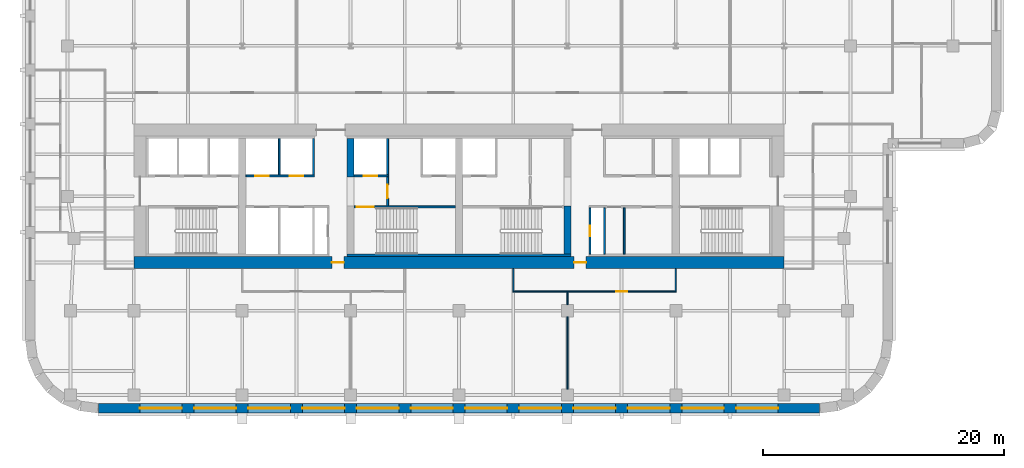
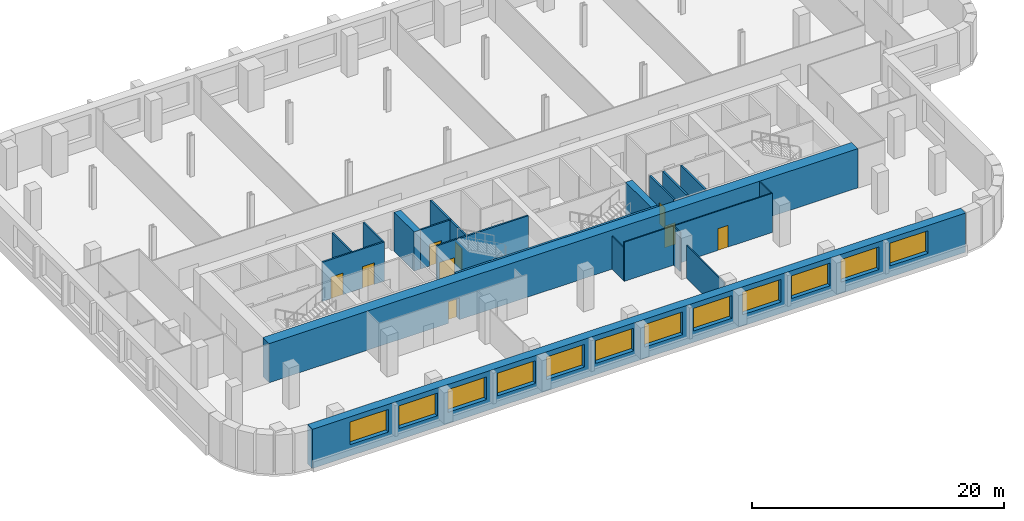
# One storey, part 4 of 9: 20 walls, 12 windows, 9 doors, 21 openings.
"""IFC4 building model written with IfcOpenShell, lengths in metres."""

import ifcopenshell
import ifcopenshell.guid

model = None  # the IFC model being written
_history = None  # IfcOwnerHistory: only IFC2X3 demands one
_inside = {}  # id of a spatial element -> (the spatial element, [elements in it])
_under = {}  # id of a project, library or spatial element -> (it, [spatial elements below it])
_declared = {}  # id of a project -> (the project, [libraries it declares])
_typed = {}  # id of a type object -> (the type object, [elements of that type])
_made_of = {}  # id of a material, layer set ... -> (it, [elements and type objects made of it])


def new_model(schema):
    """Start an empty IFC model of exactly this schema.

    Asked for "IFC4X3", IfcOpenShell would pick the latest addendum, in which some entities
    have other attributes; the version numbers below select the first issue.
    IFC2X3 requires an IfcOwnerHistory on every rooted entity: one is made here for all.
    """
    global model, _history
    if schema == "IFC4X3":
        model = ifcopenshell.file(schema_version=(4, 3, 0, 0))
    else:
        model = ifcopenshell.file(schema=schema)
    _inside.clear()
    _under.clear()
    _declared.clear()
    _typed.clear()
    _made_of.clear()
    _history = None
    if model.schema == "IFC2X3":
        org = make("IfcOrganization", Name="unknown")
        user = make(
            "IfcPersonAndOrganization",
            ThePerson=make("IfcPerson", FamilyName="unknown"),
            TheOrganization=org,
        )
        app = make(
            "IfcApplication",
            ApplicationDeveloper=org,
            Version="unknown",
            ApplicationFullName="unknown",
            ApplicationIdentifier="unknown",
        )
        _history = make(
            "IfcOwnerHistory",
            OwningUser=user,
            OwningApplication=app,
            ChangeAction="ADDED",
            CreationDate=0,
        )
    return model


def make(cls, **values):
    """One entity of the class cls with the attributes given. An attribute that is None is left unset."""
    return model.create_entity(
        cls, **{name: value for name, value in values.items() if value is not None}
    )


def rooted(cls, **values):
    """An entity with a GlobalId (a new one), such as an element, a storey or a relation."""
    return make(cls, GlobalId=ifcopenshell.guid.new(), OwnerHistory=_history, **values)


def si_unit(unit_type, name, prefix=None):
    """IfcSIUnit, for example si_unit("LENGTHUNIT", "METRE", prefix="MILLI")."""
    return make("IfcSIUnit", UnitType=unit_type, Prefix=prefix, Name=name)


def assignment(units):
    """IfcUnitAssignment: the units of a project."""
    return None if units is None else make("IfcUnitAssignment", Units=units)


def point(xyz):
    """IfcCartesianPoint."""
    return None if xyz is None else make("IfcCartesianPoint", Coordinates=xyz)


def direction(xyz):
    """IfcDirection."""
    return None if xyz is None else make("IfcDirection", DirectionRatios=xyz)


def frame(location, z_axis=None, x_axis=None):
    """IfcAxis2Placement3D, a coordinate frame: its origin and axes. An axis left out is left unset."""
    return make(
        "IfcAxis2Placement3D",
        Location=point(location),
        Axis=direction(z_axis),
        RefDirection=direction(x_axis),
    )


def frame_2d(location, x_axis=None):
    """IfcAxis2Placement2D, a coordinate frame in the plane: its origin and x axis."""
    return make(
        "IfcAxis2Placement2D", Location=point(location), RefDirection=direction(x_axis)
    )


def origin():
    """The frame at (0, 0, 0) with its axes left unset."""
    return frame((0.0, 0.0, 0.0))


def place(relative_to, where):
    """IfcLocalPlacement: puts the frame where relative to a parent placement (None: the world)."""
    return make(
        "IfcLocalPlacement", PlacementRelTo=relative_to, RelativePlacement=where
    )


def context(
    kind, dimensions, precision=None, world=None, true_north=None, identifier=None
):
    """IfcGeometricRepresentationContext, for example the 3D "Model" context."""
    return make(
        "IfcGeometricRepresentationContext",
        ContextIdentifier=identifier,
        ContextType=kind,
        CoordinateSpaceDimension=dimensions,
        Precision=precision,
        WorldCoordinateSystem=world,
        TrueNorth=true_north,
    )


def subcontext(parent, identifier, kind, view, scale=None):
    """IfcGeometricRepresentationSubContext, for example "Body" below "Model"."""
    return make(
        "IfcGeometricRepresentationSubContext",
        ContextIdentifier=identifier,
        ContextType=kind,
        ParentContext=parent,
        TargetScale=scale,
        TargetView=view,
    )


def project(units=None, contexts=None):
    """IfcProject with its units and contexts."""
    return rooted(
        "IfcProject",
        Name="project",
        RepresentationContexts=contexts,
        UnitsInContext=assignment(units),
    )


def spatial(cls, under=None, at=None, **own):
    """A site, building, storey or space (cls), placed at a placement, below another one or the project."""
    s = rooted(cls, ObjectPlacement=at, **own)
    if under is not None:
        _under.setdefault(under.id(), (under, []))[1].append(s)
    return s


def profile(cls, at=None, kind="AREA", **sizes):
    """A parametric profile (cls). Its sizes go by their IFC names, for example OverallWidth=200.0."""
    return make(cls, ProfileType=kind, Position=at, **sizes)


def rectangle(**sizes):
    """IfcRectangleProfileDef."""
    return profile("IfcRectangleProfileDef", **sizes)


def extrude(swept, where, along, depth):
    """IfcExtrudedAreaSolid: the profile swept, set in the frame where, extruded along a direction by depth."""
    return make(
        "IfcExtrudedAreaSolid",
        SweptArea=swept,
        Position=where,
        ExtrudedDirection=direction(along),
        Depth=depth,
    )


def shape(context_of_items, identifier, shape_type, items):
    """IfcShapeRepresentation: the items that make up one representation, for example the "Body"."""
    return make(
        "IfcShapeRepresentation",
        ContextOfItems=context_of_items,
        RepresentationIdentifier=identifier,
        RepresentationType=shape_type,
        Items=items,
    )


def material(Name=None, Category=None):
    """IfcMaterial."""
    return make("IfcMaterial", Name=Name, Category=Category)


def layer(
    of_material, thickness, ventilated=None, Name=None, Category=None, Priority=None
):
    """IfcMaterialLayer: one layer of a wall or slab, of a material (None: an air gap)."""
    return make(
        "IfcMaterialLayer",
        Material=of_material,
        LayerThickness=thickness,
        IsVentilated=ventilated,
        Name=Name,
        Category=Category,
        Priority=Priority,
    )


def layer_set(layers, Name=None):
    """IfcMaterialLayerSet."""
    return make("IfcMaterialLayerSet", MaterialLayers=layers, LayerSetName=Name)


def made_of(thing, what):
    """Note that an element or type object is made of a material, layer set ...; save() writes the relation."""
    if what is not None:
        _made_of.setdefault(what.id(), (what, []))[1].append(thing)
    return thing


def type_object(cls, material=None, **own):
    """A type object (cls), such as IfcWallType, which elements share."""
    return made_of(rooted(cls, **own), material)


def element(
    cls,
    number,
    at=None,
    inside=None,
    cuts=None,
    type_object=None,
    material=None,
    context=None,
    identifier="Body",
    shape_type=None,
    held_by="IfcProductDefinitionShape",
    body=None,
    shapes=None,
    **own,
):
    """One element of the class cls, such as IfcWall. Its Tag is "e" and its number.

    at: its placement. inside: the storey or other place that contains it. cuts: it is an
    opening in that element (IfcRelVoidsElement). A single representation is given by context,
    identifier, shape_type and body (its items); several are given by shapes. held_by: the class
    of the entity that holds the representations. save() writes the other relations.
    """
    e = rooted(cls, Tag="e%d" % number, ObjectPlacement=at, **own)
    if body is not None:
        shapes = [shape(context, identifier, shape_type, body)]
    if shapes is not None:
        e.Representation = make(held_by, Representations=shapes)
    if inside is not None:
        _inside.setdefault(inside.id(), (inside, []))[1].append(e)
    if cuts is not None:
        rooted(
            "IfcRelVoidsElement", RelatingBuildingElement=cuts, RelatedOpeningElement=e
        )
    if type_object is not None:
        _typed.setdefault(type_object.id(), (type_object, []))[1].append(e)
    return made_of(e, material)


def fill(opening, filler):
    """IfcRelFillsElement: the door or window that sits in an opening."""
    return rooted(
        "IfcRelFillsElement",
        RelatingOpeningElement=opening,
        RelatedBuildingElement=filler,
    )


def aggregate(whole, parts):
    """IfcRelAggregates: a whole, such as a stair, and the parts it consists of."""
    return rooted("IfcRelAggregates", RelatingObject=whole, RelatedObjects=parts)


def save(model, path):
    """Write the relations noted so far, then the file.

    IfcRelAggregates (storeys below a building ...), IfcRelContainedInSpatialStructure (elements
    in a storey), IfcRelDefinesByType, IfcRelAssociatesMaterial and IfcRelDeclares: one each for
    every whole, place, type object, material and project.
    """
    for whole, parts in _under.values():
        aggregate(whole, parts)
    for where, things in _inside.values():
        rooted(
            "IfcRelContainedInSpatialStructure",
            RelatedElements=things,
            RelatingStructure=where,
        )
    for kind, things in _typed.values():
        rooted("IfcRelDefinesByType", RelatedObjects=things, RelatingType=kind)
    for what, things in _made_of.values():
        rooted("IfcRelAssociatesMaterial", RelatedObjects=things, RelatingMaterial=what)
    for by, libraries in _declared.values():
        rooted("IfcRelDeclares", RelatingContext=by, RelatedDefinitions=libraries)
    model.write(path)


model = new_model("IFC4")

# Units and contexts
model_context = context("Model", 3, precision=1e-05, world=origin(), true_north=direction((0.0, 1.0)))
body_context = subcontext(model_context, "Body", "Model", "MODEL_VIEW")
ifc_project = project(units=[si_unit("LENGTHUNIT", "METRE"), si_unit("AREAUNIT", "SQUARE_METRE"), si_unit("VOLUMEUNIT", "CUBIC_METRE"), si_unit("PLANEANGLEUNIT", "RADIAN"), si_unit("MASSUNIT", "GRAM", prefix="KILO")], contexts=[model_context])

# Site, building, storey
site_placement = place(None, origin())
site = spatial("IfcSite", under=ifc_project, at=site_placement, CompositionType="ELEMENT")
building_placement = place(site_placement, origin())
building = spatial("IfcBuilding", under=site, at=building_placement, Name="Zellij Exchange Tower", CompositionType="ELEMENT")
storey_placement = place(building_placement, frame((0.0, 0.0, 136.5)))
storey = spatial("IfcBuildingStorey", under=building, at=storey_placement, Name="L30", CompositionType="ELEMENT", Elevation=136.5)

# Walls
ifc_material_1 = material(Name="Concrete C70/85", Category="concrete")
ifc_layer_1 = layer(ifc_material_1, 0.60009765625)
ifc_layer_set_1 = layer_set([ifc_layer_1], Name="Concrete C70/85")
wall_type_1 = type_object("IfcWallType", Name="CORE-CW 600 C70/85", PredefinedType="SHEAR", material=ifc_layer_set_1)
wall_1_placement = place(storey_placement, frame((-9.0, -6.375, 0.0), z_axis=(0.0, 0.0, 1.0), x_axis=(0.0, 1.0, 0.0)))
element("IfcWall", 1, at=wall_1_placement, inside=storey, type_object=wall_type_1, Name="Core cross wall pier x -9 b L30", PredefinedType="SHEAR", context=body_context, shape_type="SweptSolid", body=[
    extrude(rectangle(XDim=3.175048828125, YDim=0.60009765625, at=frame_2d((1.58740234375, 0.0))), origin(), (0.0, 0.0, 1.0), 3.800048828125),
])
wall_2_placement = place(storey_placement, frame((9.0, -12.800048828125, 0.0), z_axis=(0.0, 0.0, 1.0), x_axis=(0.0, 1.0, 0.0)))
element("IfcWall", 2, at=wall_2_placement, inside=storey, type_object=wall_type_1, Name="Core cross wall pier x 9 a L30", PredefinedType="SHEAR", context=body_context, shape_type="SweptSolid", body=[
    extrude(rectangle(XDim=4.0, YDim=0.60009765625, at=frame_2d((2.0, 0.0))), origin(), (0.0, 0.0, 1.0), 3.800048828125),
])
ifc_material_2 = material(Name="Concrete C30/37", Category="concrete")
ifc_layer_2 = layer(ifc_material_2, 0.199951171875)
ifc_layer_set_2 = layer_set([ifc_layer_2], Name="Concrete C30/37")
wall_type_2 = type_object("IfcWallType", Name="CORE-LW 200 C30/37", PredefinedType="SHEAR", material=ifc_layer_set_2)
wall_3_placement = place(storey_placement, frame((-9.300048828125, -12.89990234375, 0.0), z_axis=(0.0, 0.0, 1.0), x_axis=(1.0, 0.0, 0.0)))
element("IfcWall", 3, at=wall_3_placement, inside=storey, type_object=wall_type_2, Name="Core wall lining rear.1 L30", PredefinedType="SHEAR", context=body_context, shape_type="SweptSolid", body=[
    extrude(rectangle(XDim=18.60009765625, YDim=0.199951171875, at=frame_2d((9.300048828125, 0.0))), origin(), (0.0, 0.0, 1.0), 3.800048828125),
])

# Wall, opening, door
ifc_material_3 = material(Name="Gypsum shaft wall system")
ifc_layer_3 = layer(ifc_material_3, 0.14990234375)
ifc_layer_set_3 = layer_set([ifc_layer_3], Name="Gypsum shaft wall system")
wall_type_3 = type_object("IfcWallType", Name="CORE-PW 150 Firefighting lobby wall", PredefinedType="PARTITIONING", material=ifc_layer_set_3)
wall_4_placement = place(storey_placement, frame((-5.925048828125, -8.800048828125, 0.0), z_axis=(0.0, 0.0, 1.0), x_axis=(0.0, 1.0, 0.0)))
wall_4 = element("IfcWall", 4, at=wall_4_placement, inside=storey, type_object=wall_type_3, Name="Firefighting lobby wall L30", PredefinedType="PARTITIONING", context=body_context, shape_type="SweptSolid", body=[
    extrude(rectangle(XDim=2.425048828125, YDim=0.14990234375, at=frame_2d((1.21240234375, 0.0))), origin(), (0.0, 0.0, 1.0), 3.800048828125),
])
opening_1_placement = place(wall_4_placement, frame((0.662109375, 0.0, 0.0)))
opening_1 = element("IfcOpeningElement", 5, at=opening_1_placement, cuts=wall_4, Name="Opening CA-16.15", PredefinedType="OPENING", context=body_context, shape_type="SweptSolid", body=[
    extrude(rectangle(XDim=1.10009765625, YDim=2.10009765625, at=frame_2d((0.550048828125, 1.050048828125))), frame((0.0, 0.0869140625, 0.0), z_axis=(0.0, -1.0, 0.0), x_axis=(1.0, 0.0, 0.0)), (0.0, 0.0, 1.0), 0.173828125),
])
ifc_material_4 = material(Name="Hollow metal fire door")
door_type_1 = type_object("IfcDoorType", Name="CORE-D F Firefighting lobby door 1100x2100 1 HR", OperationType="NOTDEFINED", PredefinedType="DOOR", material=ifc_material_4)
door_1_placement = place(opening_1_placement, origin())
door_1 = element("IfcDoor", 6, at=door_1_placement, inside=storey, type_object=door_type_1, Name="Firefighting lobby door CA-16.15", OperationType="SINGLE_SWING_LEFT", OverallHeight=2.10009765625, OverallWidth=1.10009765625, PredefinedType="DOOR", context=body_context, shape_type="SweptSolid", body=[
    extrude(rectangle(XDim=1.10009765625, YDim=2.10009765625, at=frame_2d((0.550048828125, 1.050048828125))), frame((0.0, 0.02490234375, 0.0), z_axis=(0.0, -1.0, 0.0), x_axis=(1.0, 0.0, 0.0)), (0.0, 0.0, 1.0), 0.050048828125),
])
fill(opening_1, door_1)

ifc_material_5 = material(Name="Gypsum board partition")
ifc_layer_4 = layer(ifc_material_5, 0.14990234375)
ifc_layer_set_4 = layer_set([ifc_layer_4], Name="Gypsum board partition")
wall_type_4 = type_object("IfcWallType", Name="CORE-PW 150 Lift lobby wall", PredefinedType="PARTITIONING", material=ifc_layer_set_4)
wall_5_placement = place(storey_placement, frame((10.875, -12.800048828125, 0.0), z_axis=(0.0, 0.0, 1.0), x_axis=(0.0, 1.0, 0.0)))
wall_5 = element("IfcWall", 7, at=wall_5_placement, inside=storey, type_object=wall_type_4, Name="Lift lobby wall L30", PredefinedType="PARTITIONING", context=body_context, shape_type="SweptSolid", body=[
    extrude(rectangle(XDim=3.85009765625, YDim=0.14990234375, at=frame_2d((1.925048828125, 0.0))), origin(), (0.0, 0.0, 1.0), 3.800048828125),
])
opening_2_placement = place(wall_5_placement, frame((1.47509765625, 0.0, 0.0)))
opening_2 = element("IfcOpeningElement", 8, at=opening_2_placement, cuts=wall_5, Name="Opening CA-16.22", PredefinedType="OPENING", context=body_context, shape_type="SweptSolid", body=[
    extrude(rectangle(XDim=0.89990234375, YDim=2.10009765625, at=frame_2d((0.449951171875, 1.050048828125))), frame((0.0, 0.0869140625, 0.0), z_axis=(0.0, -1.0, 0.0), x_axis=(1.0, 0.0, 0.0)), (0.0, 0.0, 1.0), 0.173828125),
])
door_type_2 = type_object("IfcDoorType", Name="CORE-D RD Riser door 900x2100 1.5 HR", OperationType="NOTDEFINED", PredefinedType="DOOR", material=ifc_material_4)
door_2_placement = place(opening_2_placement, origin())
door_2 = element("IfcDoor", 9, at=door_2_placement, inside=storey, type_object=door_type_2, Name="Riser door CA-16.22", OperationType="SINGLE_SWING_LEFT", OverallHeight=2.10009765625, OverallWidth=0.89990234375, PredefinedType="DOOR", context=body_context, shape_type="SweptSolid", body=[
    extrude(rectangle(XDim=0.89990234375, YDim=2.10009765625, at=frame_2d((0.449951171875, 1.050048828125))), frame((0.0, 0.02490234375, 0.0), z_axis=(0.0, -1.0, 0.0), x_axis=(1.0, 0.0, 0.0)), (0.0, 0.0, 1.0), 0.050048828125),
])
fill(opening_2, door_2)

# Walls
for number, where, z_axis, x_axis, name in (
    (10, (12.074951171875, -12.800048828125, 0.0), (0.0, 0.0, 1.0), (0.0, 1.0, 0.0), "Lift lobby wall L30"),
    (11, (13.72509765625, -12.800048828125, 0.0), (0.0, 0.0, 1.0), (0.0, 1.0, 0.0), "Lift lobby wall L30"),
):
    element("IfcWall", number, at=place(storey_placement, frame(where, z_axis=z_axis, x_axis=x_axis)), inside=storey, type_object=wall_type_4, Name=name, PredefinedType="PARTITIONING", context=body_context, shape_type="SweptSolid", body=[
        extrude(rectangle(XDim=3.85009765625, YDim=0.14990234375, at=frame_2d((1.925048828125, 0.0))), origin(), (0.0, 0.0, 1.0), 3.800048828125),
    ])
ifc_layer_5 = layer(ifc_material_3, 0.14990234375)
ifc_layer_set_5 = layer_set([ifc_layer_5], Name="Gypsum shaft wall system")
wall_type_5 = type_object("IfcWallType", Name="CORE-PW 150 Lift shaft wall", PredefinedType="PARTITIONING", material=ifc_layer_set_5)
for number, where, z_axis, x_axis, name in (
    (12, (-12.074951171875, -6.22509765625, 0.0), (0.0, 0.0, 1.0), (0.0, 1.0, 0.0), "Lift shaft wall L30"),
    (13, (-14.925048828125, -6.22509765625, 0.0), (0.0, 0.0, 1.0), (0.0, 1.0, 0.0), "Lift shaft wall L30"),
    (14, (-5.925048828125, -6.22509765625, 0.0), (0.0, 0.0, 1.0), (0.0, 1.0, 0.0), "Lift shaft wall L30"),
):
    element("IfcWall", number, at=place(storey_placement, frame(where, z_axis=z_axis, x_axis=x_axis)), inside=storey, type_object=wall_type_5, Name=name, PredefinedType="PARTITIONING", context=body_context, shape_type="SweptSolid", body=[
        extrude(rectangle(XDim=3.025146484375, YDim=0.14990234375, at=frame_2d((1.5126953125, 0.0))), origin(), (0.0, 0.0, 1.0), 3.800048828125),
    ])

# Wall, openings, doors
wall_6_placement = place(storey_placement, frame((-17.699951171875, -6.300048828125, 0.0), z_axis=(0.0, 0.0, 1.0), x_axis=(1.0, 0.0, 0.0)))
wall_6 = element("IfcWall", 15, at=wall_6_placement, inside=storey, type_object=wall_type_5, Name="Lift shaft wall L30", PredefinedType="PARTITIONING", context=body_context, shape_type="SweptSolid", body=[
    extrude(rectangle(XDim=5.699951171875, YDim=0.14990234375, at=frame_2d((2.85009765625, 0.0))), origin(), (0.0, 0.0, 1.0), 3.800048828125),
])
opening_3_placement = place(wall_6_placement, frame((0.800048828125, 0.0, 0.0)))
opening_3 = element("IfcOpeningElement", 16, at=opening_3_placement, cuts=wall_6, Name="Opening CA-16.07", PredefinedType="OPENING", context=body_context, shape_type="SweptSolid", body=[
    extrude(rectangle(XDim=1.10009765625, YDim=2.10009765625, at=frame_2d((0.550048828125, 1.050048828125))), frame((0.0, 0.0869140625, 0.0), z_axis=(0.0, -1.0, 0.0), x_axis=(1.0, 0.0, 0.0)), (0.0, 0.0, 1.0), 0.173828125),
])
opening_4_placement = place(wall_6_placement, frame((3.64990234375, 0.0, 0.0)))
opening_4 = element("IfcOpeningElement", 17, at=opening_4_placement, cuts=wall_6, Name="Opening CA-16.09", PredefinedType="OPENING", context=body_context, shape_type="SweptSolid", body=[
    extrude(rectangle(XDim=1.10009765625, YDim=2.10009765625, at=frame_2d((0.550048828125, 1.050048828125))), frame((0.0, 0.0869140625, 0.0), z_axis=(0.0, -1.0, 0.0), x_axis=(1.0, 0.0, 0.0)), (0.0, 0.0, 1.0), 0.173828125),
])
door_type_3 = type_object("IfcDoorType", Name="CORE-D LD Lift landing door 1100x2100 1.5 HR", OperationType="NOTDEFINED", PredefinedType="DOOR", material=ifc_material_4)
door_3_placement = place(opening_3_placement, origin())
door_3 = element("IfcDoor", 18, at=door_3_placement, inside=storey, type_object=door_type_3, Name="Lift landing door CA-16.07", OperationType="SLIDING_TO_LEFT", OverallHeight=2.10009765625, OverallWidth=1.10009765625, PredefinedType="DOOR", context=body_context, shape_type="SweptSolid", body=[
    extrude(rectangle(XDim=1.10009765625, YDim=2.10009765625, at=frame_2d((0.550048828125, 1.050048828125))), frame((0.0, 0.02490234375, 0.0), z_axis=(0.0, -1.0, 0.0), x_axis=(1.0, 0.0, 0.0)), (0.0, 0.0, 1.0), 0.050048828125),
])
fill(opening_3, door_3)
door_4_placement = place(opening_4_placement, origin())
door_4 = element("IfcDoor", 19, at=door_4_placement, inside=storey, type_object=door_type_3, Name="Lift landing door CA-16.09", OperationType="SLIDING_TO_LEFT", OverallHeight=2.10009765625, OverallWidth=1.10009765625, PredefinedType="DOOR", context=body_context, shape_type="SweptSolid", body=[
    extrude(rectangle(XDim=1.10009765625, YDim=2.10009765625, at=frame_2d((0.550048828125, 1.050048828125))), frame((0.0, 0.02490234375, 0.0), z_axis=(0.0, -1.0, 0.0), x_axis=(1.0, 0.0, 0.0)), (0.0, 0.0, 1.0), 0.050048828125),
])
fill(opening_4, door_4)

# Wall, opening, door
wall_7_placement = place(storey_placement, frame((-8.699951171875, -6.300048828125, 0.0), z_axis=(0.0, 0.0, 1.0), x_axis=(1.0, 0.0, 0.0)))
wall_7 = element("IfcWall", 20, at=wall_7_placement, inside=storey, type_object=wall_type_5, Name="Lift shaft wall L30", PredefinedType="PARTITIONING", context=body_context, shape_type="SweptSolid", body=[
    extrude(rectangle(XDim=2.849853515625, YDim=0.14990234375, at=frame_2d((1.4248046875, 0.0))), origin(), (0.0, 0.0, 1.0), 3.800048828125),
])
opening_5_placement = place(wall_7_placement, frame((0.800048828125, 0.0, 0.0)))
opening_5 = element("IfcOpeningElement", 21, at=opening_5_placement, cuts=wall_7, Name="Opening CA-16.14", PredefinedType="OPENING", context=body_context, shape_type="SweptSolid", body=[
    extrude(rectangle(XDim=1.10009765625, YDim=2.10009765625, at=frame_2d((0.550048828125, 1.050048828125))), frame((0.0, 0.0869140625, 0.0), z_axis=(0.0, -1.0, 0.0), x_axis=(1.0, 0.0, 0.0)), (0.0, 0.0, 1.0), 0.173828125),
])
door_5_placement = place(opening_5_placement, origin())
door_5 = element("IfcDoor", 22, at=door_5_placement, inside=storey, type_object=door_type_3, Name="Lift landing door CA-16.14", OperationType="SLIDING_TO_RIGHT", OverallHeight=2.10009765625, OverallWidth=1.10009765625, PredefinedType="DOOR", context=body_context, shape_type="SweptSolid", body=[
    extrude(rectangle(XDim=1.10009765625, YDim=2.10009765625, at=frame_2d((0.550048828125, 1.050048828125))), frame((0.0, 0.02490234375, 0.0), z_axis=(0.0, -1.0, 0.0), x_axis=(1.0, 0.0, 0.0)), (0.0, 0.0, 1.0), 0.050048828125),
])
fill(opening_5, door_5)

# Wall, openings, doors
ifc_layer_6 = layer(ifc_material_1, 1.0)
ifc_layer_set_6 = layer_set([ifc_layer_6], Name="Concrete C70/85")
wall_type_6 = type_object("IfcWallType", Name="CORE-SW 1000 C70/85", PredefinedType="SHEAR", material=ifc_layer_set_6)
wall_8_placement = place(storey_placement, frame((-27.0, -13.5, 0.0), z_axis=(0.0, 0.0, 1.0), x_axis=(1.0, 0.0, 0.0)))
wall_8 = element("IfcWall", 23, at=wall_8_placement, inside=storey, type_object=wall_type_6, Name="Core shear wall rear L30", PredefinedType="SHEAR", context=body_context, shape_type="SweptSolid", body=[
    extrude(rectangle(XDim=54.0, YDim=1.0, at=frame_2d((27.0, 0.0))), origin(), (0.0, 0.0, 1.0), 3.800048828125),
])
opening_6_placement = place(wall_8_placement, frame((16.449951171875, 0.0, 0.0)))
opening_6 = element("IfcOpeningElement", 24, at=opening_6_placement, cuts=wall_8, Name="Opening CA-16.12", PredefinedType="OPENING", context=body_context, shape_type="SweptSolid", body=[
    extrude(rectangle(XDim=1.0, YDim=2.10009765625, at=frame_2d((0.5, 1.050048828125))), frame((0.0, 0.511962890625, 0.0), z_axis=(0.0, -1.0, 0.0), x_axis=(1.0, 0.0, 0.0)), (0.0, 0.0, 1.0), 1.02392578125),
])
opening_7_placement = place(wall_8_placement, frame((36.550048828125, 0.0, 0.0)))
opening_7 = element("IfcOpeningElement", 25, at=opening_7_placement, cuts=wall_8, Name="Opening CA-16.20", PredefinedType="OPENING", context=body_context, shape_type="SweptSolid", body=[
    extrude(rectangle(XDim=1.0, YDim=2.10009765625, at=frame_2d((0.5, 1.050048828125))), frame((0.0, 0.511962890625, 0.0), z_axis=(0.0, -1.0, 0.0), x_axis=(1.0, 0.0, 0.0)), (0.0, 0.0, 1.0), 1.02392578125),
])
door_type_4 = type_object("IfcDoorType", Name="CORE-D CR Core rear door 1000x2100 20 MIN", OperationType="NOTDEFINED", PredefinedType="DOOR", material=ifc_material_4)
door_6_placement = place(opening_6_placement, origin())
door_6 = element("IfcDoor", 26, at=door_6_placement, inside=storey, type_object=door_type_4, Name="Core rear door CA-16.12", OperationType="SINGLE_SWING_RIGHT", OverallHeight=2.10009765625, OverallWidth=1.0, PredefinedType="DOOR", context=body_context, shape_type="SweptSolid", body=[
    extrude(rectangle(XDim=1.0, YDim=2.10009765625, at=frame_2d((0.5, 1.050048828125))), frame((0.0, 0.02490234375, 0.0), z_axis=(0.0, -1.0, 0.0), x_axis=(1.0, 0.0, 0.0)), (0.0, 0.0, 1.0), 0.050048828125),
])
fill(opening_6, door_6)
door_7_placement = place(opening_7_placement, origin())
door_7 = element("IfcDoor", 27, at=door_7_placement, inside=storey, type_object=door_type_4, Name="Core rear door CA-16.20", OperationType="SINGLE_SWING_LEFT", OverallHeight=2.10009765625, OverallWidth=1.0, PredefinedType="DOOR", context=body_context, shape_type="SweptSolid", body=[
    extrude(rectangle(XDim=1.0, YDim=2.10009765625, at=frame_2d((0.5, 1.050048828125))), frame((0.0, 0.02490234375, 0.0), z_axis=(0.0, -1.0, 0.0), x_axis=(1.0, 0.0, 0.0)), (0.0, 0.0, 1.0), 0.050048828125),
])
fill(opening_7, door_7)

# Wall, opening, door
ifc_layer_7 = layer(ifc_material_1, 0.14990234375)
ifc_layer_set_7 = layer_set([ifc_layer_7], Name="Concrete C70/85")
wall_type_7 = type_object("IfcWallType", Name="CORE-SWS 150 C70/85", PredefinedType="SHEAR", material=ifc_layer_set_7)
wall_9_placement = place(storey_placement, frame((-8.699951171875, -8.875, 0.0), z_axis=(0.0, 0.0, 1.0), x_axis=(1.0, 0.0, 0.0)))
wall_9 = element("IfcWall", 28, at=wall_9_placement, inside=storey, type_object=wall_type_7, Name="Stair enclosure wall L30", PredefinedType="SHEAR", context=body_context, shape_type="SweptSolid", body=[
    extrude(rectangle(XDim=8.39990234375, YDim=0.14990234375, at=frame_2d((4.199951171875, 0.0))), origin(), (0.0, 0.0, 1.0), 3.800048828125),
])
opening_8_placement = place(wall_9_placement, frame((0.22509765625, 0.0, 0.0)))
opening_8 = element("IfcOpeningElement", 29, at=opening_8_placement, cuts=wall_9, Name="Opening CA-16.13", PredefinedType="OPENING", context=body_context, shape_type="SweptSolid", body=[
    extrude(rectangle(XDim=1.39990234375, YDim=2.10009765625, at=frame_2d((0.699951171875, 1.050048828125))), frame((0.0, 0.0869140625, 0.0), z_axis=(0.0, -1.0, 0.0), x_axis=(1.0, 0.0, 0.0)), (0.0, 0.0, 1.0), 0.173828125),
])
door_type_5 = type_object("IfcDoorType", Name="CORE-D SD Stair door 1400x2100 1.5 HR", OperationType="NOTDEFINED", PredefinedType="DOOR", material=ifc_material_4)
door_8_placement = place(opening_8_placement, origin())
door_8 = element("IfcDoor", 30, at=door_8_placement, inside=storey, type_object=door_type_5, Name="Stair door CA-16.13", OperationType="DOUBLE_DOOR_SINGLE_SWING", OverallHeight=2.10009765625, OverallWidth=1.39990234375, PredefinedType="DOOR", context=body_context, shape_type="SweptSolid", body=[
    extrude(rectangle(XDim=1.39990234375, YDim=2.10009765625, at=frame_2d((0.699951171875, 1.050048828125))), frame((0.0, 0.02490234375, 0.0), z_axis=(0.0, -1.0, 0.0), x_axis=(1.0, 0.0, 0.0)), (0.0, 0.0, 1.0), 0.050048828125),
])
fill(opening_8, door_8)

# Wall, openings, windows
ifc_material_6 = material(Name="Precast concrete C40/50", Category="concrete")
ifc_layer_8 = layer(ifc_material_6, 0.800048828125)
ifc_layer_set_8 = layer_set([ifc_layer_8], Name="Precast concrete C40/50")
wall_type_8 = type_object("IfcWallType", Name="ENV-EW1 Precast stone-piered wall 800", PredefinedType="SOLIDWALL", material=ifc_layer_set_8)
wall_10_placement = place(storey_placement, frame((-29.947509765625, -25.60009765625, 0.0), z_axis=(0.0, 0.0, 1.0), x_axis=(1.0, 0.0, 0.0)))
wall_10 = element("IfcWall", 31, at=wall_10_placement, inside=storey, type_object=wall_type_8, Name="fac.L30.00", PredefinedType="SOLIDWALL", context=body_context, shape_type="SweptSolid", body=[
    extrude(rectangle(XDim=59.89501953125, YDim=0.800048828125, at=frame_2d((29.947509765625, 0.0))), origin(), (0.0, 0.0, 1.0), 3.800048828125),
])
opening_9_placement = place(wall_10_placement, frame((3.447509765625, 0.0, 1.10009765625)))
opening_9 = element("IfcOpeningElement", 32, at=opening_9_placement, cuts=wall_10, Name="Opening FZ2.01", PredefinedType="OPENING", context=body_context, shape_type="SweptSolid", body=[
    extrude(rectangle(XDim=3.5, YDim=2.199951171875, at=frame_2d((1.75, 1.10009765625))), frame((0.0, 0.412109375, 0.0), z_axis=(0.0, -1.0, 0.0), x_axis=(1.0, 0.0, 0.0)), (0.0, 0.0, 1.0), 0.823974609375),
])
opening_10_placement = place(wall_10_placement, frame((7.947509765625, 0.0, 1.10009765625)))
opening_10 = element("IfcOpeningElement", 33, at=opening_10_placement, cuts=wall_10, Name="Opening FZ2.02", PredefinedType="OPENING", context=body_context, shape_type="SweptSolid", body=[
    extrude(rectangle(XDim=3.5, YDim=2.199951171875, at=frame_2d((1.75, 1.10009765625))), frame((0.0, 0.412109375, 0.0), z_axis=(0.0, -1.0, 0.0), x_axis=(1.0, 0.0, 0.0)), (0.0, 0.0, 1.0), 0.823974609375),
])
opening_11_placement = place(wall_10_placement, frame((12.447509765625, 0.0, 1.10009765625)))
opening_11 = element("IfcOpeningElement", 34, at=opening_11_placement, cuts=wall_10, Name="Opening FZ2.03", PredefinedType="OPENING", context=body_context, shape_type="SweptSolid", body=[
    extrude(rectangle(XDim=3.5, YDim=2.199951171875, at=frame_2d((1.75, 1.10009765625))), frame((0.0, 0.412109375, 0.0), z_axis=(0.0, -1.0, 0.0), x_axis=(1.0, 0.0, 0.0)), (0.0, 0.0, 1.0), 0.823974609375),
])
opening_12_placement = place(wall_10_placement, frame((16.947509765625, 0.0, 1.10009765625)))
opening_12 = element("IfcOpeningElement", 35, at=opening_12_placement, cuts=wall_10, Name="Opening FZ2.04", PredefinedType="OPENING", context=body_context, shape_type="SweptSolid", body=[
    extrude(rectangle(XDim=3.5, YDim=2.199951171875, at=frame_2d((1.75, 1.10009765625))), frame((0.0, 0.412109375, 0.0), z_axis=(0.0, -1.0, 0.0), x_axis=(1.0, 0.0, 0.0)), (0.0, 0.0, 1.0), 0.823974609375),
])
opening_13_placement = place(wall_10_placement, frame((21.447509765625, 0.0, 1.10009765625)))
opening_13 = element("IfcOpeningElement", 36, at=opening_13_placement, cuts=wall_10, Name="Opening FZ2.05", PredefinedType="OPENING", context=body_context, shape_type="SweptSolid", body=[
    extrude(rectangle(XDim=3.5, YDim=2.199951171875, at=frame_2d((1.75, 1.10009765625))), frame((0.0, 0.412109375, 0.0), z_axis=(0.0, -1.0, 0.0), x_axis=(1.0, 0.0, 0.0)), (0.0, 0.0, 1.0), 0.823974609375),
])
opening_14_placement = place(wall_10_placement, frame((25.947509765625, 0.0, 1.10009765625)))
opening_14 = element("IfcOpeningElement", 37, at=opening_14_placement, cuts=wall_10, Name="Opening FZ2.06", PredefinedType="OPENING", context=body_context, shape_type="SweptSolid", body=[
    extrude(rectangle(XDim=3.5, YDim=2.199951171875, at=frame_2d((1.75, 1.10009765625))), frame((0.0, 0.412109375, 0.0), z_axis=(0.0, -1.0, 0.0), x_axis=(1.0, 0.0, 0.0)), (0.0, 0.0, 1.0), 0.823974609375),
])
opening_15_placement = place(wall_10_placement, frame((30.447509765625, 0.0, 1.10009765625)))
opening_15 = element("IfcOpeningElement", 38, at=opening_15_placement, cuts=wall_10, Name="Opening FZ2.07", PredefinedType="OPENING", context=body_context, shape_type="SweptSolid", body=[
    extrude(rectangle(XDim=3.5, YDim=2.199951171875, at=frame_2d((1.75, 1.10009765625))), frame((0.0, 0.412109375, 0.0), z_axis=(0.0, -1.0, 0.0), x_axis=(1.0, 0.0, 0.0)), (0.0, 0.0, 1.0), 0.823974609375),
])
opening_16_placement = place(wall_10_placement, frame((34.947509765625, 0.0, 1.10009765625)))
opening_16 = element("IfcOpeningElement", 39, at=opening_16_placement, cuts=wall_10, Name="Opening FZ2.08", PredefinedType="OPENING", context=body_context, shape_type="SweptSolid", body=[
    extrude(rectangle(XDim=3.5, YDim=2.199951171875, at=frame_2d((1.75, 1.10009765625))), frame((0.0, 0.412109375, 0.0), z_axis=(0.0, -1.0, 0.0), x_axis=(1.0, 0.0, 0.0)), (0.0, 0.0, 1.0), 0.823974609375),
])
opening_17_placement = place(wall_10_placement, frame((39.447509765625, 0.0, 1.10009765625)))
opening_17 = element("IfcOpeningElement", 40, at=opening_17_placement, cuts=wall_10, Name="Opening FZ2.09", PredefinedType="OPENING", context=body_context, shape_type="SweptSolid", body=[
    extrude(rectangle(XDim=3.5, YDim=2.199951171875, at=frame_2d((1.75, 1.10009765625))), frame((0.0, 0.412109375, 0.0), z_axis=(0.0, -1.0, 0.0), x_axis=(1.0, 0.0, 0.0)), (0.0, 0.0, 1.0), 0.823974609375),
])
opening_18_placement = place(wall_10_placement, frame((43.947509765625, 0.0, 1.10009765625)))
opening_18 = element("IfcOpeningElement", 41, at=opening_18_placement, cuts=wall_10, Name="Opening FZ2.10", PredefinedType="OPENING", context=body_context, shape_type="SweptSolid", body=[
    extrude(rectangle(XDim=3.5, YDim=2.199951171875, at=frame_2d((1.75, 1.10009765625))), frame((0.0, 0.412109375, 0.0), z_axis=(0.0, -1.0, 0.0), x_axis=(1.0, 0.0, 0.0)), (0.0, 0.0, 1.0), 0.823974609375),
])
opening_19_placement = place(wall_10_placement, frame((48.447509765625, 0.0, 1.10009765625)))
opening_19 = element("IfcOpeningElement", 42, at=opening_19_placement, cuts=wall_10, Name="Opening FZ2.11", PredefinedType="OPENING", context=body_context, shape_type="SweptSolid", body=[
    extrude(rectangle(XDim=3.5, YDim=2.199951171875, at=frame_2d((1.75, 1.10009765625))), frame((0.0, 0.412109375, 0.0), z_axis=(0.0, -1.0, 0.0), x_axis=(1.0, 0.0, 0.0)), (0.0, 0.0, 1.0), 0.823974609375),
])
opening_20_placement = place(wall_10_placement, frame((52.947509765625, 0.0, 1.10009765625)))
opening_20 = element("IfcOpeningElement", 43, at=opening_20_placement, cuts=wall_10, Name="Opening FZ2.12", PredefinedType="OPENING", context=body_context, shape_type="SweptSolid", body=[
    extrude(rectangle(XDim=3.5, YDim=2.199951171875, at=frame_2d((1.75, 1.10009765625))), frame((0.0, 0.412109375, 0.0), z_axis=(0.0, -1.0, 0.0), x_axis=(1.0, 0.0, 0.0)), (0.0, 0.0, 1.0), 0.823974609375),
])
ifc_material_7 = material(Name="Aluminium frame with insulating glass", Category="aluminium")
window_type = type_object("IfcWindowType", Name="ENV-W7 Window 3500x2200", PartitioningType="SINGLE_PANEL", PredefinedType="WINDOW", material=ifc_material_7)
window_1_placement = place(opening_9_placement, origin())
window_1 = element("IfcWindow", 44, at=window_1_placement, inside=storey, type_object=window_type, Name="Window FZ2.01", OverallHeight=2.199951171875, OverallWidth=3.5, PartitioningType="SINGLE_PANEL", PredefinedType="WINDOW", context=body_context, shape_type="SweptSolid", body=[
    extrude(rectangle(XDim=3.5, YDim=2.199951171875, at=frame_2d((1.75, 1.10009765625))), frame((0.0, 0.030029296875, 0.0), z_axis=(0.0, -1.0, 0.0), x_axis=(1.0, 0.0, 0.0)), (0.0, 0.0, 1.0), 0.06005859375),
])
fill(opening_9, window_1)
window_2_placement = place(opening_10_placement, origin())
window_2 = element("IfcWindow", 45, at=window_2_placement, inside=storey, type_object=window_type, Name="Window FZ2.02", OverallHeight=2.199951171875, OverallWidth=3.5, PartitioningType="SINGLE_PANEL", PredefinedType="WINDOW", context=body_context, shape_type="SweptSolid", body=[
    extrude(rectangle(XDim=3.5, YDim=2.199951171875, at=frame_2d((1.75, 1.10009765625))), frame((0.0, 0.030029296875, 0.0), z_axis=(0.0, -1.0, 0.0), x_axis=(1.0, 0.0, 0.0)), (0.0, 0.0, 1.0), 0.06005859375),
])
fill(opening_10, window_2)
window_3_placement = place(opening_11_placement, origin())
window_3 = element("IfcWindow", 46, at=window_3_placement, inside=storey, type_object=window_type, Name="Window FZ2.03", OverallHeight=2.199951171875, OverallWidth=3.5, PartitioningType="SINGLE_PANEL", PredefinedType="WINDOW", context=body_context, shape_type="SweptSolid", body=[
    extrude(rectangle(XDim=3.5, YDim=2.199951171875, at=frame_2d((1.75, 1.10009765625))), frame((0.0, 0.030029296875, 0.0), z_axis=(0.0, -1.0, 0.0), x_axis=(1.0, 0.0, 0.0)), (0.0, 0.0, 1.0), 0.06005859375),
])
fill(opening_11, window_3)
window_4_placement = place(opening_12_placement, origin())
window_4 = element("IfcWindow", 47, at=window_4_placement, inside=storey, type_object=window_type, Name="Window FZ2.04", OverallHeight=2.199951171875, OverallWidth=3.5, PartitioningType="SINGLE_PANEL", PredefinedType="WINDOW", context=body_context, shape_type="SweptSolid", body=[
    extrude(rectangle(XDim=3.5, YDim=2.199951171875, at=frame_2d((1.75, 1.10009765625))), frame((0.0, 0.030029296875, 0.0), z_axis=(0.0, -1.0, 0.0), x_axis=(1.0, 0.0, 0.0)), (0.0, 0.0, 1.0), 0.06005859375),
])
fill(opening_12, window_4)
window_5_placement = place(opening_13_placement, origin())
window_5 = element("IfcWindow", 48, at=window_5_placement, inside=storey, type_object=window_type, Name="Window FZ2.05", OverallHeight=2.199951171875, OverallWidth=3.5, PartitioningType="SINGLE_PANEL", PredefinedType="WINDOW", context=body_context, shape_type="SweptSolid", body=[
    extrude(rectangle(XDim=3.5, YDim=2.199951171875, at=frame_2d((1.75, 1.10009765625))), frame((0.0, 0.030029296875, 0.0), z_axis=(0.0, -1.0, 0.0), x_axis=(1.0, 0.0, 0.0)), (0.0, 0.0, 1.0), 0.06005859375),
])
fill(opening_13, window_5)
window_6_placement = place(opening_14_placement, origin())
window_6 = element("IfcWindow", 49, at=window_6_placement, inside=storey, type_object=window_type, Name="Window FZ2.06", OverallHeight=2.199951171875, OverallWidth=3.5, PartitioningType="SINGLE_PANEL", PredefinedType="WINDOW", context=body_context, shape_type="SweptSolid", body=[
    extrude(rectangle(XDim=3.5, YDim=2.199951171875, at=frame_2d((1.75, 1.10009765625))), frame((0.0, 0.030029296875, 0.0), z_axis=(0.0, -1.0, 0.0), x_axis=(1.0, 0.0, 0.0)), (0.0, 0.0, 1.0), 0.06005859375),
])
fill(opening_14, window_6)
window_7_placement = place(opening_15_placement, origin())
window_7 = element("IfcWindow", 50, at=window_7_placement, inside=storey, type_object=window_type, Name="Window FZ2.07", OverallHeight=2.199951171875, OverallWidth=3.5, PartitioningType="SINGLE_PANEL", PredefinedType="WINDOW", context=body_context, shape_type="SweptSolid", body=[
    extrude(rectangle(XDim=3.5, YDim=2.199951171875, at=frame_2d((1.75, 1.10009765625))), frame((0.0, 0.030029296875, 0.0), z_axis=(0.0, -1.0, 0.0), x_axis=(1.0, 0.0, 0.0)), (0.0, 0.0, 1.0), 0.06005859375),
])
fill(opening_15, window_7)
window_8_placement = place(opening_16_placement, origin())
window_8 = element("IfcWindow", 51, at=window_8_placement, inside=storey, type_object=window_type, Name="Window FZ2.08", OverallHeight=2.199951171875, OverallWidth=3.5, PartitioningType="SINGLE_PANEL", PredefinedType="WINDOW", context=body_context, shape_type="SweptSolid", body=[
    extrude(rectangle(XDim=3.5, YDim=2.199951171875, at=frame_2d((1.75, 1.10009765625))), frame((0.0, 0.030029296875, 0.0), z_axis=(0.0, -1.0, 0.0), x_axis=(1.0, 0.0, 0.0)), (0.0, 0.0, 1.0), 0.06005859375),
])
fill(opening_16, window_8)
window_9_placement = place(opening_17_placement, origin())
window_9 = element("IfcWindow", 52, at=window_9_placement, inside=storey, type_object=window_type, Name="Window FZ2.09", OverallHeight=2.199951171875, OverallWidth=3.5, PartitioningType="SINGLE_PANEL", PredefinedType="WINDOW", context=body_context, shape_type="SweptSolid", body=[
    extrude(rectangle(XDim=3.5, YDim=2.199951171875, at=frame_2d((1.75, 1.10009765625))), frame((0.0, 0.030029296875, 0.0), z_axis=(0.0, -1.0, 0.0), x_axis=(1.0, 0.0, 0.0)), (0.0, 0.0, 1.0), 0.06005859375),
])
fill(opening_17, window_9)
window_10_placement = place(opening_18_placement, origin())
window_10 = element("IfcWindow", 53, at=window_10_placement, inside=storey, type_object=window_type, Name="Window FZ2.10", OverallHeight=2.199951171875, OverallWidth=3.5, PartitioningType="SINGLE_PANEL", PredefinedType="WINDOW", context=body_context, shape_type="SweptSolid", body=[
    extrude(rectangle(XDim=3.5, YDim=2.199951171875, at=frame_2d((1.75, 1.10009765625))), frame((0.0, 0.030029296875, 0.0), z_axis=(0.0, -1.0, 0.0), x_axis=(1.0, 0.0, 0.0)), (0.0, 0.0, 1.0), 0.06005859375),
])
fill(opening_18, window_10)
window_11_placement = place(opening_19_placement, origin())
window_11 = element("IfcWindow", 54, at=window_11_placement, inside=storey, type_object=window_type, Name="Window FZ2.11", OverallHeight=2.199951171875, OverallWidth=3.5, PartitioningType="SINGLE_PANEL", PredefinedType="WINDOW", context=body_context, shape_type="SweptSolid", body=[
    extrude(rectangle(XDim=3.5, YDim=2.199951171875, at=frame_2d((1.75, 1.10009765625))), frame((0.0, 0.030029296875, 0.0), z_axis=(0.0, -1.0, 0.0), x_axis=(1.0, 0.0, 0.0)), (0.0, 0.0, 1.0), 0.06005859375),
])
fill(opening_19, window_11)
window_12_placement = place(opening_20_placement, origin())
window_12 = element("IfcWindow", 55, at=window_12_placement, inside=storey, type_object=window_type, Name="Window FZ2.12", OverallHeight=2.199951171875, OverallWidth=3.5, PartitioningType="SINGLE_PANEL", PredefinedType="WINDOW", context=body_context, shape_type="SweptSolid", body=[
    extrude(rectangle(XDim=3.5, YDim=2.199951171875, at=frame_2d((1.75, 1.10009765625))), frame((0.0, 0.030029296875, 0.0), z_axis=(0.0, -1.0, 0.0), x_axis=(1.0, 0.0, 0.0)), (0.0, 0.0, 1.0), 0.06005859375),
])
fill(opening_20, window_12)

# Walls
ifc_material_8 = material(Name="Gypsum board partition on steel studs", Category="steel")
ifc_layer_9 = layer(ifc_material_8, 0.10009765625)
ifc_layer_set_9 = layer_set([ifc_layer_9], Name="Gypsum board partition on steel studs")
wall_type_9 = type_object("IfcWallType", Name="FIT-PARTITION-100", PredefinedType="PARTITIONING", material=ifc_layer_set_9)
wall_11_placement = place(storey_placement, frame((9.0, -24.0, 0.0), z_axis=(0.0, 0.0, 1.0), x_axis=(0.0, 1.0, 0.0)))
element("IfcWall", 56, at=wall_11_placement, inside=storey, type_object=wall_type_9, Name="FIT-PARTITION-100 003", PredefinedType="PARTITIONING", context=body_context, shape_type="SweptSolid", body=[
    extrude(rectangle(XDim=6.0, YDim=0.10009765625, at=frame_2d((3.0, 0.0))), origin(), (0.0, 0.0, 1.0), 3.18798828125),
])
wall_12_placement = place(storey_placement, frame((9.0, -17.0, 0.0), z_axis=(0.0, 0.0, 1.0), x_axis=(0.0, 1.0, 0.0)))
element("IfcWall", 57, at=wall_12_placement, inside=storey, type_object=wall_type_9, Name="FIT-PARTITION-100 004", PredefinedType="PARTITIONING", context=body_context, shape_type="SweptSolid", body=[
    extrude(rectangle(XDim=1.050048828125, YDim=0.10009765625, at=frame_2d((0.52490234375, 0.0))), origin(), (0.0, 0.0, 1.0), 3.800048828125),
])

# Wall, opening, door
wall_13_placement = place(storey_placement, frame((4.449951171875, -15.89990234375, 0.0), z_axis=(0.0, 0.0, 1.0), x_axis=(1.0, 0.0, 0.0)))
wall_13 = element("IfcWall", 58, at=wall_13_placement, inside=storey, type_object=wall_type_9, Name="FIT-PARTITION-100 008", PredefinedType="PARTITIONING", context=body_context, shape_type="SweptSolid", body=[
    extrude(rectangle(XDim=13.60009765625, YDim=0.10009765625, at=frame_2d((6.800048828125, 0.0))), origin(), (0.0, 0.0, 1.0), 3.800048828125),
])
opening_21_placement = place(wall_13_placement, frame((8.60009765625, 0.0, 0.0)))
opening_21 = element("IfcOpeningElement", 59, at=opening_21_placement, cuts=wall_13, Name="Opening TG.03", PredefinedType="OPENING", context=body_context, shape_type="SweptSolid", body=[
    extrude(rectangle(XDim=0.89990234375, YDim=2.10009765625, at=frame_2d((0.449951171875, 1.050048828125))), frame((0.0, 0.06201171875, 0.0), z_axis=(0.0, -1.0, 0.0), x_axis=(1.0, 0.0, 0.0)), (0.0, 0.0, 1.0), 0.1240234375),
])
ifc_material_9 = material(Name="Timber door set", Category="wood")
door_type_6 = type_object("IfcDoorType", Name="FIT-D1-ROOM-900X2100", OperationType="SINGLE_SWING_LEFT", PredefinedType="DOOR", material=ifc_material_9)
door_9_placement = place(opening_21_placement, origin())
door_9 = element("IfcDoor", 60, at=door_9_placement, inside=storey, type_object=door_type_6, Name="Door TG.03", OperationType="SINGLE_SWING_LEFT", OverallHeight=2.10009765625, OverallWidth=0.89990234375, PredefinedType="DOOR", context=body_context, shape_type="SweptSolid", body=[
    extrude(rectangle(XDim=0.89990234375, YDim=2.10009765625, at=frame_2d((0.449951171875, 1.050048828125))), frame((0.0, 0.02490234375, 0.0), z_axis=(0.0, -1.0, 0.0), x_axis=(1.0, 0.0, 0.0)), (0.0, 0.0, 1.0), 0.050048828125),
])
fill(opening_21, door_9)

# Walls
wall_14_placement = place(storey_placement, frame((4.5, -15.85009765625, 0.0), z_axis=(0.0, 0.0, 1.0), x_axis=(0.0, 1.0, 0.0)))
element("IfcWall", 61, at=wall_14_placement, inside=storey, type_object=wall_type_9, Name="FIT-PARTITION-100 009", PredefinedType="PARTITIONING", context=body_context, shape_type="SweptSolid", body=[
    extrude(rectangle(XDim=1.85009765625, YDim=0.10009765625, at=frame_2d((0.925048828125, 0.0))), origin(), (0.0, 0.0, 1.0), 3.197998046875),
])
wall_15_placement = place(storey_placement, frame((18.0, -15.85009765625, 0.0), z_axis=(0.0, 0.0, 1.0), x_axis=(0.0, 1.0, 0.0)))
element("IfcWall", 62, at=wall_15_placement, inside=storey, type_object=wall_type_9, Name="FIT-PARTITION-100 010", PredefinedType="PARTITIONING", context=body_context, shape_type="SweptSolid", body=[
    extrude(rectangle(XDim=1.85009765625, YDim=0.10009765625, at=frame_2d((0.925048828125, 0.0))), origin(), (0.0, 0.0, 1.0), 3.800048828125),
])

save(model, "model.ifc")
